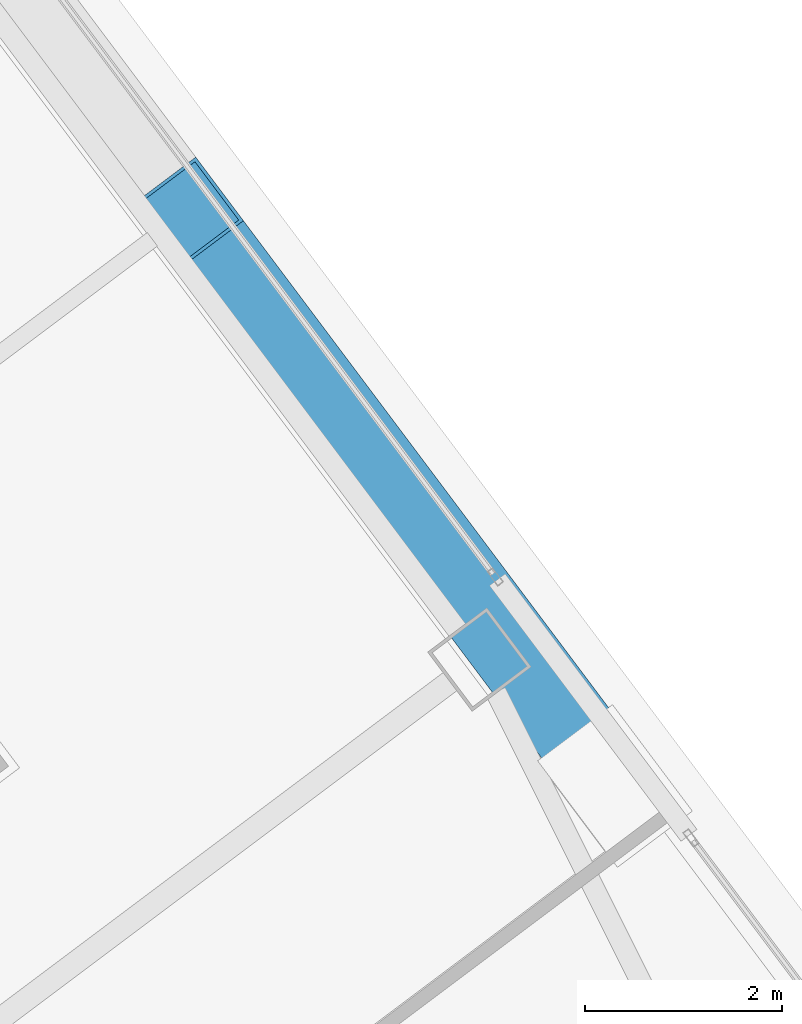
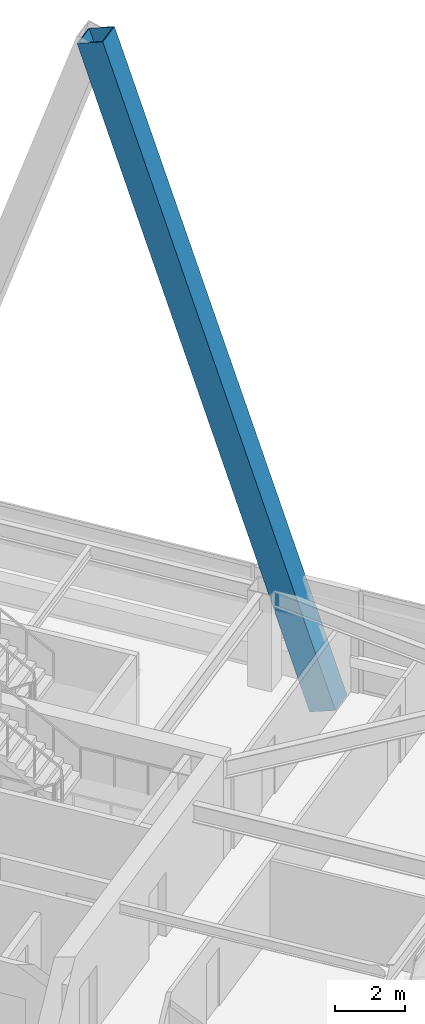
# One storey, part 37 of 55: 1 member.
"""IFC4 building model written with IfcOpenShell, lengths in metres."""

from ifc_helpers import new_model, si_unit, direction, frame, origin, origin_2d, place, context, subcontext, project, spatial, hollow_rectangle, extrude, material, material_profile, profile_set, type_object, element, save


model = new_model("IFC4")

# Units and contexts
model_context = context("Model", 3, precision=1e-05, world=origin(), true_north=direction((0.0, 1.0)))
body_context = subcontext(model_context, "Body", "Model", "MODEL_VIEW")
ifc_project = project(units=[si_unit("LENGTHUNIT", "METRE"), si_unit("AREAUNIT", "SQUARE_METRE"), si_unit("VOLUMEUNIT", "CUBIC_METRE"), si_unit("PLANEANGLEUNIT", "RADIAN"), si_unit("MASSUNIT", "GRAM", prefix="KILO")], contexts=[model_context])

# Site, building, storey
site_placement = place(None, origin())
site = spatial("IfcSite", under=ifc_project, at=site_placement, CompositionType="ELEMENT")
building_placement = place(site_placement, origin())
building = spatial("IfcBuilding", under=site, at=building_placement, Name="Tashvorn Skyway Center", CompositionType="ELEMENT")
storey_placement = place(building_placement, frame((0.0, 0.0, 178.300048828125)))
storey = spatial("IfcBuildingStorey", under=building, at=storey_placement, Name="L48", CompositionType="ELEMENT", Elevation=178.300048828125)

# Member
ifc_material = material(Name="Steel ASTM A572 Grade 50", Category="steel")
ifc_material_profile = material_profile(ifc_material, hollow_rectangle(XDim=0.85009765625, YDim=0.85009765625, WallThickness=0.034912109375, at=origin_2d()), Name="BOX850x850x35")
ifc_profile_set = profile_set([ifc_material_profile], Name="Steel ASTM A572 Grade 50")
member_type = type_object("IfcMemberType", Name="MEM-MB-850", PredefinedType="BRACE", material=ifc_profile_set)
member_placement = place(storey_placement, frame((131.533935546875, 36.087890625, -0.449951171875), z_axis=(-0.192517080634, 0.256700246092, 0.947123095126), x_axis=(-0.800012122763, -0.599983835976, 0.0)))
element("IfcMember", 1, at=member_placement, inside=storey, type_object=member_type, Name="Tower 2 Zone 4 E Chevron Mega-Brace L2", PredefinedType="BRACE", context=body_context, shape_type="SweptSolid", body=[
    extrude(hollow_rectangle(XDim=0.85009765625, YDim=0.85009765625, WallThickness=0.034912109375, at=origin_2d()), origin(), (0.0, 0.0, 1.0), 22.5947265625),
])

save(model, "model.ifc")
